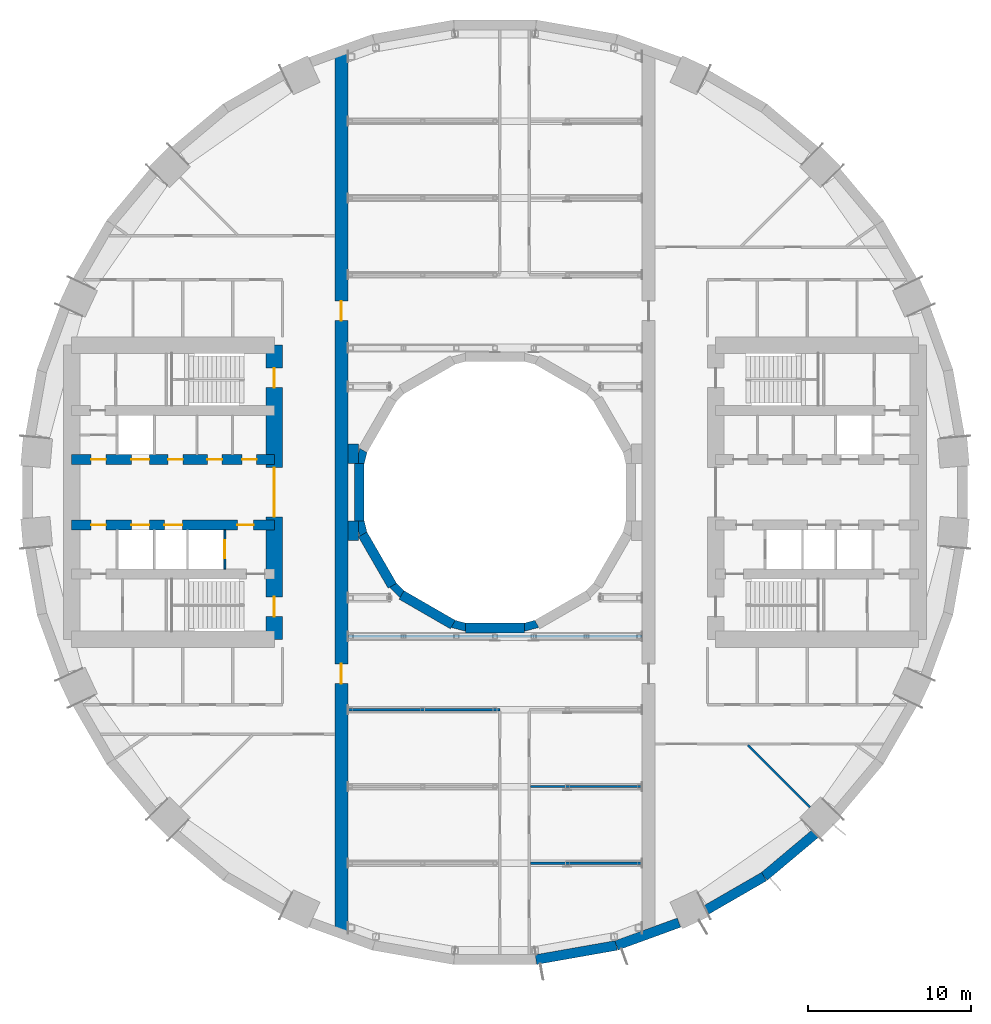
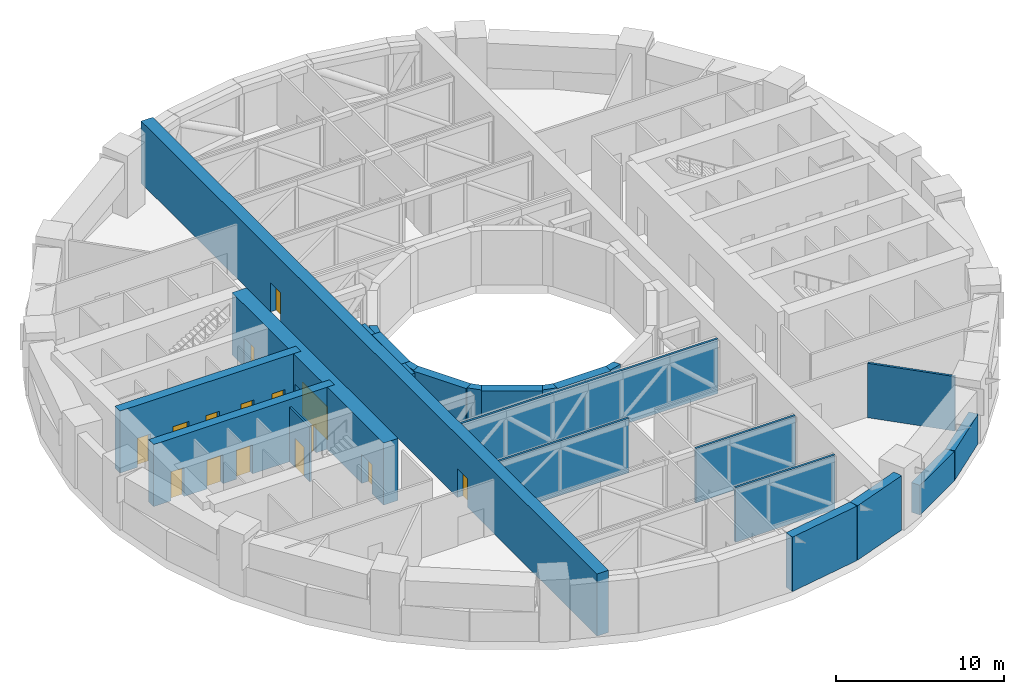
# One storey, part 14 of 21: 25 walls, 15 doors, 15 openings.
"""IFC4 building model written with IfcOpenShell, lengths in metres."""

from ifc_helpers import new_model, si_unit, direction, frame, frame_2d, origin, place, context, subcontext, project, spatial, polyline, rectangle, outline, extrude, material, layer, layer_set, type_object, element, fill, save


model = new_model("IFC4")

# Units and contexts
model_context = context("Model", 3, precision=1e-05, world=origin(), true_north=direction((0.0, 1.0)))
body_context = subcontext(model_context, "Body", "Model", "MODEL_VIEW")
ifc_project = project(units=[si_unit("LENGTHUNIT", "METRE"), si_unit("AREAUNIT", "SQUARE_METRE"), si_unit("VOLUMEUNIT", "CUBIC_METRE"), si_unit("PLANEANGLEUNIT", "RADIAN"), si_unit("MASSUNIT", "GRAM", prefix="KILO")], contexts=[model_context])

# Site, building, storey
site_placement = place(None, origin())
site = spatial("IfcSite", under=ifc_project, at=site_placement, CompositionType="ELEMENT")
building_placement = place(site_placement, origin())
building = spatial("IfcBuilding", under=site, at=building_placement, Name="Saqina Gate Tower", CompositionType="ELEMENT")
storey_placement = place(building_placement, frame((0.0, 0.0, 21.800048828125)))
storey = spatial("IfcBuildingStorey", under=building, at=storey_placement, Name="L05", CompositionType="ELEMENT", Elevation=21.800048828125)

# Walls
ifc_material_1 = material(Name="Brick masonry (red)", Category="masonry")
ifc_layer_1 = layer(ifc_material_1, 0.60009765625)
ifc_layer_set_1 = layer_set([ifc_layer_1], Name="FW-BRICK-RED")
wall_type_1 = type_object("IfcWallType", Name="FW-BRICK-RED", PredefinedType="SOLIDWALL", material=ifc_layer_set_1)
wall_1_placement = place(storey_placement, frame((2.5048828125, -28.589111328125, 0.0), z_axis=(0.0, 0.0, 1.0), x_axis=(0.984806184402, 0.173657073462, 0.0)))
element("IfcWall", 1, at=wall_1_placement, inside=storey, type_object=wall_type_1, Name="Facade wall L05 facet 28", PredefinedType="SOLIDWALL", context=body_context, shape_type="SweptSolid", body=[
    extrude(rectangle(XDim=4.9951171875, YDim=0.60009765625, at=frame_2d((2.49755859375, 0.0))), origin(), (0.0, 0.0, 1.0), 3.949951171875),
])
wall_2_placement = place(storey_placement, frame((7.431396484375, -27.7197265625, 0.0), z_axis=(0.0, 0.0, 1.0), x_axis=(0.939683013865, 0.342046536971, 0.0)))
element("IfcWall", 2, at=wall_2_placement, inside=storey, type_object=wall_type_1, Name="Facade wall L05 facet 29", PredefinedType="SOLIDWALL", context=body_context, shape_type="SweptSolid", body=[
    extrude(rectangle(XDim=4.069091796875, YDim=0.60009765625, at=frame_2d((2.03466796875, 0.0))), origin(), (0.0, 0.0, 1.0), 3.949951171875),
])
wall_3_placement = place(storey_placement, frame((12.933837890625, -25.545166015625, 0.0), z_axis=(0.0, 0.0, 1.0), x_axis=(0.866011732453, 0.500023678693, 0.0)))
element("IfcWall", 3, at=wall_3_placement, inside=storey, type_object=wall_type_1, Name="Facade wall L05 facet 30", PredefinedType="SOLIDWALL", context=body_context, shape_type="SweptSolid", body=[
    extrude(rectangle(XDim=4.069091796875, YDim=0.60009765625, at=frame_2d((2.03466796875, 0.0))), origin(), (0.0, 0.0, 1.0), 2.14990234375),
])
wall_4_placement = place(storey_placement, frame((16.4638671875, -23.50634765625, 0.0), z_axis=(0.0, 0.0, 1.0), x_axis=(0.766033337734, 0.642800844336, 0.0)))
element("IfcWall", 4, at=wall_4_placement, inside=storey, type_object=wall_type_1, Name="Facade wall L05 facet 31", PredefinedType="SOLIDWALL", context=body_context, shape_type="SweptSolid", body=[
    extrude(rectangle(XDim=4.0693359375, YDim=0.60009765625, at=frame_2d((2.03466796875, 0.0))), origin(), (0.0, 0.0, 1.0), 2.14990234375),
])
ifc_material_2 = material(Name="Glazed ceramic tile", Category="ceramic")
ifc_layer_2 = layer(ifc_material_2, 0.60009765625)
ifc_layer_set_2 = layer_set([ifc_layer_2], Name="IW-TILE")
wall_type_2 = type_object("IfcWallType", Name="IW-TILE", PredefinedType="SOLIDWALL", material=ifc_layer_set_2)
wall_5_placement = place(storey_placement, frame((-8.300048828125, 1.763671875, 0.0), z_axis=(0.0, 0.0, 1.0), x_axis=(0.0, -1.0, 0.0)))
element("IfcWall", 5, at=wall_5_placement, inside=storey, type_object=wall_type_2, Name="Well wall L05 facet 6", PredefinedType="SOLIDWALL", context=body_context, shape_type="SweptSolid", body=[
    extrude(rectangle(XDim=3.52734375, YDim=0.60009765625, at=frame_2d((1.763671875, 0.0))), origin(), (0.0, 0.0, 1.0), 3.949951171875),
])
for number, where, z_axis, x_axis, name in (
    (6, (-8.09423828125, -2.580322265625, 0.0), (0.0, 0.0, 1.0), (0.499992569217, -0.866029693906, 0.0), "Well wall L05 facet 7"),
    (7, (-5.7197265625, -6.28173828125, 0.0), (0.0, 0.0, 1.0), (0.866029693906, -0.499992569217, 0.0), "Well wall L05 facet 8"),
    (8, (-1.8125, -8.300048828125, 0.0), (0.0, 0.0, 1.0), (1.0, 0.0, 0.0), "Well wall L05 facet 9"),
):
    element("IfcWall", number, at=place(storey_placement, frame(where, z_axis=z_axis, x_axis=x_axis)), inside=storey, type_object=wall_type_2, Name=name, PredefinedType="SOLIDWALL", context=body_context, shape_type="SweptSolid", body=[
        extrude(rectangle(XDim=3.625, YDim=0.60009765625, at=frame_2d((1.8125, 0.0))), origin(), (0.0, 0.0, 1.0), 3.949951171875),
    ])

# Wall, opening, door
ifc_material_3 = material(Name="Autoclaved aerated concrete block", Category="concrete")
ifc_layer_3 = layer(ifc_material_3, 0.1201171875)
ifc_layer_set_3 = layer_set([ifc_layer_3], Name="SHAFT PARTITION")
wall_type_3 = type_object("IfcWallType", Name="SHAFT PARTITION", PredefinedType="PARTITIONING", material=ifc_layer_set_3)
wall_6_placement = place(storey_placement, frame((-16.530029296875, -4.699951171875, 0.0), z_axis=(0.0, 0.0, 1.0), x_axis=(0.0, 1.0, 0.0)))
wall_6 = element("IfcWall", 9, at=wall_6_placement, inside=storey, type_object=wall_type_3, Name="L05-CP-W05", PredefinedType="PARTITIONING", context=body_context, shape_type="SweptSolid", body=[
    extrude(rectangle(XDim=2.39990234375, YDim=0.1201171875, at=frame_2d((1.199951171875, 0.0))), origin(), (0.0, 0.0, 1.0), 3.949951171875),
])
opening_1_placement = place(wall_6_placement, frame((0.64990234375, 0.0, 0.0)))
opening_1 = element("IfcOpeningElement", 10, at=opening_1_placement, cuts=wall_6, Name="Opening L05-LD6", PredefinedType="OPENING", context=body_context, shape_type="SweptSolid", body=[
    extrude(rectangle(XDim=1.10009765625, YDim=2.10009765625, at=frame_2d((0.550048828125, 1.050048828125))), frame((0.0, 0.072021484375, 0.0), z_axis=(0.0, -1.0, 0.0), x_axis=(1.0, 0.0, 0.0)), (0.0, 0.0, 1.0), 0.14404296875),
])
ifc_material_4 = material(Name="Stainless steel", Category="steel")
door_type_1 = type_object("IfcDoorType", Name="LANDING DOOR", OperationType="DOUBLE_DOOR_SLIDING", PredefinedType="DOOR", material=ifc_material_4)
door_1_placement = place(opening_1_placement, origin())
door_1 = element("IfcDoor", 11, at=door_1_placement, inside=storey, type_object=door_type_1, Name="LANDING DOOR FF2", OperationType="DOUBLE_DOOR_SLIDING", OverallHeight=2.10009765625, OverallWidth=1.10009765625, PredefinedType="DOOR", context=body_context, shape_type="SweptSolid", body=[
    extrude(rectangle(XDim=1.10009765625, YDim=2.10009765625, at=frame_2d((0.550048828125, 1.050048828125))), frame((0.0, 0.02490234375, 0.0), z_axis=(0.0, -1.0, 0.0), x_axis=(1.0, 0.0, 0.0)), (0.0, 0.0, 1.0), 0.050048828125),
])
fill(opening_1, door_1)

# Walls
ifc_material_5 = material(Name="Gypsum board on steel studs, 150 mm, fire rated", Category="steel")
ifc_layer_4 = layer(ifc_material_5, 0.14990234375)
ifc_layer_set_4 = layer_set([ifc_layer_4], Name="SPECIAL PARTITION EI 30 150")
wall_type_4 = type_object("IfcWallType", Name="SPECIAL PARTITION EI 30 150", PredefinedType="PARTITIONING", material=ifc_layer_set_4)
wall_7_placement = place(storey_placement, frame((-9.0, -8.820068359375, 0.0), z_axis=(0.0, 0.0, 1.0), x_axis=(1.0, 0.0, 0.0)))
element("IfcWall", 12, at=wall_7_placement, inside=storey, type_object=wall_type_4, Name="PARTITION 015", PredefinedType="PARTITIONING", context=body_context, shape_type="SweptSolid", body=[
    extrude(rectangle(XDim=18.0, YDim=0.14990234375, at=frame_2d((9.0, 0.0))), origin(), (0.0, 0.0, 1.0), 3.949951171875),
])
ifc_material_6 = material(Name="Masonry block and plaster, 150 mm, fire rated", Category="masonry")
ifc_layer_5 = layer(ifc_material_6, 0.14990234375)
ifc_layer_set_5 = layer_set([ifc_layer_5], Name="SPECIAL PARTITION EI 60 150")
wall_type_5 = type_object("IfcWallType", Name="SPECIAL PARTITION EI 60 150", PredefinedType="PARTITIONING", material=ifc_layer_set_5)
wall_8_placement = place(storey_placement, frame((15.474365234375, -15.47412109375, 0.0), z_axis=(0.0, 0.0, 1.0), x_axis=(0.707197938435, -0.707015612185, 0.0)))
element("IfcWall", 13, at=wall_8_placement, inside=storey, type_object=wall_type_5, Name="PARTITION 002", PredefinedType="PARTITIONING", context=body_context, shape_type="SweptSolid", body=[
    extrude(rectangle(XDim=5.356201171875, YDim=0.14990234375, at=frame_2d((2.67822265625, 0.0))), origin(), (0.0, 0.0, 1.0), 3.949951171875),
])
for number, where, z_axis, x_axis, name in (
    (14, (2.175048828125, -22.699951171875, 0.0), (0.0, 0.0, 1.0), (1.0, 0.0, 0.0), "PARTITION 006"),
    (15, (2.175048828125, -18.0, 0.0), (0.0, 0.0, 1.0), (1.0, 0.0, 0.0), "PARTITION 008"),
):
    element("IfcWall", number, at=place(storey_placement, frame(where, z_axis=z_axis, x_axis=x_axis)), inside=storey, type_object=wall_type_5, Name=name, PredefinedType="PARTITIONING", context=body_context, shape_type="SweptSolid", body=[
        extrude(rectangle(XDim=6.824951171875, YDim=0.14990234375, at=frame_2d((3.41259765625, 0.0))), origin(), (0.0, 0.0, 1.0), 3.949951171875),
    ])
wall_9_placement = place(storey_placement, frame((-9.0, -13.300048828125, 0.0), z_axis=(0.0, 0.0, 1.0), x_axis=(1.0, 0.0, 0.0)))
element("IfcWall", 16, at=wall_9_placement, inside=storey, type_object=wall_type_5, Name="PARTITION 011", PredefinedType="PARTITIONING", context=body_context, shape_type="SweptSolid", body=[
    extrude(rectangle(XDim=9.300048828125, YDim=0.14990234375, at=frame_2d((4.64990234375, 0.0))), origin(), (0.0, 0.0, 1.0), 3.949951171875),
])

# Wall, openings, doors
ifc_material_7 = material(Name="Concrete C70/85", Category="concrete")
ifc_layer_6 = layer(ifc_material_7, 0.60009765625)
ifc_layer_set_6 = layer_set([ifc_layer_6], Name="Concrete C70/85")
wall_type_6 = type_object("IfcWallType", Name="STR-CORE WALL-P-I", PredefinedType="SHEAR", material=ifc_layer_set_6)
wall_10_placement = place(storey_placement, frame((-13.5, 2.0, 0.0), z_axis=(0.0, 0.0, 1.0), x_axis=(-1.0, 0.0, 0.0)))
wall_10 = element("IfcWall", 17, at=wall_10_placement, inside=storey, type_object=wall_type_6, Name="CORE WALL L05 W-L1", PredefinedType="SHEAR", context=body_context, shape_type="SweptSolid", body=[
    extrude(rectangle(XDim=12.39990234375, YDim=0.60009765625, at=frame_2d((6.199951171875, 0.0))), origin(), (0.0, 0.0, 1.0), 4.5),
])
opening_2_placement = place(wall_10_placement, frame((7.64990234375, 0.0, 0.0)))
opening_2 = element("IfcOpeningElement", 18, at=opening_2_placement, cuts=wall_10, Name="Opening L05-LD5", PredefinedType="OPENING", context=body_context, shape_type="SweptSolid", body=[
    extrude(rectangle(XDim=1.10009765625, YDim=2.10009765625, at=frame_2d((0.550048828125, 1.050048828125))), frame((0.0, 0.31201171875, 0.0), z_axis=(0.0, -1.0, 0.0), x_axis=(1.0, 0.0, 0.0)), (0.0, 0.0, 1.0), 0.6240234375),
])
opening_3_placement = place(wall_10_placement, frame((1.075927734375, 0.0, 0.0)))
opening_3 = element("IfcOpeningElement", 19, at=opening_3_placement, cuts=wall_10, Name="Opening L05-D105", PredefinedType="OPENING", context=body_context, shape_type="SweptSolid", body=[
    extrude(rectangle(XDim=0.89990234375, YDim=2.10009765625, at=frame_2d((0.449951171875, 1.050048828125))), frame((0.0, 0.31201171875, 0.0), z_axis=(0.0, -1.0, 0.0), x_axis=(1.0, 0.0, 0.0)), (0.0, 0.0, 1.0), 0.6240234375),
])
opening_4_placement = place(wall_10_placement, frame((3.1962890625, 0.0, 0.0)))
opening_4 = element("IfcOpeningElement", 20, at=opening_4_placement, cuts=wall_10, Name="Opening L05-D106", PredefinedType="OPENING", context=body_context, shape_type="SweptSolid", body=[
    extrude(rectangle(XDim=0.89990234375, YDim=2.10009765625, at=frame_2d((0.449951171875, 1.050048828125))), frame((0.0, 0.31201171875, 0.0), z_axis=(0.0, -1.0, 0.0), x_axis=(1.0, 0.0, 0.0)), (0.0, 0.0, 1.0), 0.6240234375),
])
opening_5_placement = place(wall_10_placement, frame((5.59033203125, 0.0, 0.0)))
opening_5 = element("IfcOpeningElement", 21, at=opening_5_placement, cuts=wall_10, Name="Opening L05-D107", PredefinedType="OPENING", context=body_context, shape_type="SweptSolid", body=[
    extrude(rectangle(XDim=0.89990234375, YDim=2.10009765625, at=frame_2d((0.449951171875, 1.050048828125))), frame((0.0, 0.31201171875, 0.0), z_axis=(0.0, -1.0, 0.0), x_axis=(1.0, 0.0, 0.0)), (0.0, 0.0, 1.0), 0.6240234375),
])
opening_6_placement = place(wall_10_placement, frame((10.31005859375, 0.0, 0.0)))
opening_6 = element("IfcOpeningElement", 22, at=opening_6_placement, cuts=wall_10, Name="Opening L05-D108", PredefinedType="OPENING", context=body_context, shape_type="SweptSolid", body=[
    extrude(rectangle(XDim=0.89990234375, YDim=2.10009765625, at=frame_2d((0.449951171875, 1.050048828125))), frame((0.0, 0.31201171875, 0.0), z_axis=(0.0, -1.0, 0.0), x_axis=(1.0, 0.0, 0.0)), (0.0, 0.0, 1.0), 0.6240234375),
])
door_2_placement = place(opening_2_placement, origin())
door_2 = element("IfcDoor", 23, at=door_2_placement, inside=storey, type_object=door_type_1, Name="LANDING DOOR LR4", OperationType="DOUBLE_DOOR_SLIDING", OverallHeight=2.10009765625, OverallWidth=1.10009765625, PredefinedType="DOOR", context=body_context, shape_type="SweptSolid", body=[
    extrude(rectangle(XDim=1.10009765625, YDim=2.10009765625, at=frame_2d((0.550048828125, 1.050048828125))), frame((0.0, 0.02490234375, 0.0), z_axis=(0.0, -1.0, 0.0), x_axis=(1.0, 0.0, 0.0)), (0.0, 0.0, 1.0), 0.050048828125),
])
fill(opening_2, door_2)
ifc_material_8 = material(Name="Steel-framed fire door leaf, EI 60", Category="steel")
door_type_2 = type_object("IfcDoorType", Name="SERVICE ROOM DOOR 900", OperationType="SINGLE_SWING_LEFT", PredefinedType="DOOR", material=ifc_material_8)
door_3_placement = place(opening_3_placement, frame((0.89990234375, 0.0, 0.0), z_axis=(0.0, 0.0, 1.0), x_axis=(-1.0, 0.0, 0.0)))
door_3 = element("IfcDoor", 24, at=door_3_placement, inside=storey, type_object=door_type_2, Name="L05-CD-W16", OperationType="SINGLE_SWING_LEFT", OverallHeight=2.10009765625, OverallWidth=0.89990234375, PredefinedType="DOOR", context=body_context, shape_type="SweptSolid", body=[
    extrude(rectangle(XDim=0.89990234375, YDim=2.10009765625, at=frame_2d((0.449951171875, 1.050048828125))), frame((0.0, 0.02490234375, 0.0), z_axis=(0.0, -1.0, 0.0), x_axis=(1.0, 0.0, 0.0)), (0.0, 0.0, 1.0), 0.050048828125),
])
fill(opening_3, door_3)
door_4_placement = place(opening_4_placement, frame((0.89990234375, 0.0, 0.0), z_axis=(0.0, 0.0, 1.0), x_axis=(-1.0, 0.0, 0.0)))
door_4 = element("IfcDoor", 25, at=door_4_placement, inside=storey, type_object=door_type_2, Name="L05-CD-W17", OperationType="SINGLE_SWING_RIGHT", OverallHeight=2.10009765625, OverallWidth=0.89990234375, PredefinedType="DOOR", context=body_context, shape_type="SweptSolid", body=[
    extrude(rectangle(XDim=0.89990234375, YDim=2.10009765625, at=frame_2d((0.449951171875, 1.050048828125))), frame((0.0, 0.02490234375, 0.0), z_axis=(0.0, -1.0, 0.0), x_axis=(1.0, 0.0, 0.0)), (0.0, 0.0, 1.0), 0.050048828125),
])
fill(opening_4, door_4)
door_5_placement = place(opening_5_placement, frame((0.89990234375, 0.0, 0.0), z_axis=(0.0, 0.0, 1.0), x_axis=(-1.0, 0.0, 0.0)))
door_5 = element("IfcDoor", 26, at=door_5_placement, inside=storey, type_object=door_type_2, Name="L05-CD-W18", OperationType="SINGLE_SWING_RIGHT", OverallHeight=2.10009765625, OverallWidth=0.89990234375, PredefinedType="DOOR", context=body_context, shape_type="SweptSolid", body=[
    extrude(rectangle(XDim=0.89990234375, YDim=2.10009765625, at=frame_2d((0.449951171875, 1.050048828125))), frame((0.0, 0.02490234375, 0.0), z_axis=(0.0, -1.0, 0.0), x_axis=(1.0, 0.0, 0.0)), (0.0, 0.0, 1.0), 0.050048828125),
])
fill(opening_5, door_5)
door_6_placement = place(opening_6_placement, frame((0.89990234375, 0.0, 0.0), z_axis=(0.0, 0.0, 1.0), x_axis=(-1.0, 0.0, 0.0)))
door_6 = element("IfcDoor", 27, at=door_6_placement, inside=storey, type_object=door_type_2, Name="L05-CD-W19", OperationType="SINGLE_SWING_LEFT", OverallHeight=2.10009765625, OverallWidth=0.89990234375, PredefinedType="DOOR", context=body_context, shape_type="SweptSolid", body=[
    extrude(rectangle(XDim=0.89990234375, YDim=2.10009765625, at=frame_2d((0.449951171875, 1.050048828125))), frame((0.0, 0.02490234375, 0.0), z_axis=(0.0, -1.0, 0.0), x_axis=(1.0, 0.0, 0.0)), (0.0, 0.0, 1.0), 0.050048828125),
])
fill(opening_6, door_6)

wall_11_placement = place(storey_placement, frame((-13.5, -2.0, 0.0), z_axis=(0.0, 0.0, 1.0), x_axis=(-1.0, 0.0, 0.0)))
wall_11 = element("IfcWall", 28, at=wall_11_placement, inside=storey, type_object=wall_type_6, Name="CORE WALL L05 W-L2", PredefinedType="SHEAR", context=body_context, shape_type="SweptSolid", body=[
    extrude(rectangle(XDim=12.39990234375, YDim=0.60009765625, at=frame_2d((6.199951171875, 0.0))), origin(), (0.0, 0.0, 1.0), 4.5),
])
opening_7_placement = place(wall_11_placement, frame((5.6201171875, 0.0, 0.0)))
opening_7 = element("IfcOpeningElement", 29, at=opening_7_placement, cuts=wall_11, Name="Opening L05-LD7", PredefinedType="OPENING", context=body_context, shape_type="SweptSolid", body=[
    extrude(rectangle(XDim=1.10009765625, YDim=2.10009765625, at=frame_2d((0.550048828125, 1.050048828125))), frame((0.0, 0.31201171875, 0.0), z_axis=(0.0, -1.0, 0.0), x_axis=(1.0, 0.0, 0.0)), (0.0, 0.0, 1.0), 0.6240234375),
])
opening_8_placement = place(wall_11_placement, frame((7.64990234375, 0.0, 0.0)))
opening_8 = element("IfcOpeningElement", 30, at=opening_8_placement, cuts=wall_11, Name="Opening L05-LD8", PredefinedType="OPENING", context=body_context, shape_type="SweptSolid", body=[
    extrude(rectangle(XDim=1.10009765625, YDim=2.10009765625, at=frame_2d((0.550048828125, 1.050048828125))), frame((0.0, 0.31201171875, 0.0), z_axis=(0.0, -1.0, 0.0), x_axis=(1.0, 0.0, 0.0)), (0.0, 0.0, 1.0), 0.6240234375),
])
opening_9_placement = place(wall_11_placement, frame((1.264892578125, 0.0, 0.0)))
opening_9 = element("IfcOpeningElement", 31, at=opening_9_placement, cuts=wall_11, Name="Opening L05-D109", PredefinedType="OPENING", context=body_context, shape_type="SweptSolid", body=[
    extrude(rectangle(XDim=1.0, YDim=2.10009765625, at=frame_2d((0.5, 1.050048828125))), frame((0.0, 0.31201171875, 0.0), z_axis=(0.0, -1.0, 0.0), x_axis=(1.0, 0.0, 0.0)), (0.0, 0.0, 1.0), 0.6240234375),
])
opening_10_placement = place(wall_11_placement, frame((10.31005859375, 0.0, 0.0)))
opening_10 = element("IfcOpeningElement", 32, at=opening_10_placement, cuts=wall_11, Name="Opening L05-D110", PredefinedType="OPENING", context=body_context, shape_type="SweptSolid", body=[
    extrude(rectangle(XDim=0.89990234375, YDim=2.10009765625, at=frame_2d((0.449951171875, 1.050048828125))), frame((0.0, 0.31201171875, 0.0), z_axis=(0.0, -1.0, 0.0), x_axis=(1.0, 0.0, 0.0)), (0.0, 0.0, 1.0), 0.6240234375),
])
ifc_material_9 = material(Name="Steel", Category="steel")
door_type_3 = type_object("IfcDoorType", Name="FIRE LOBBY DOOR EI 60", OperationType="SINGLE_SWING_LEFT", PredefinedType="DOOR", material=ifc_material_9)
door_7_placement = place(opening_9_placement, frame((1.0, 0.0, 0.0), z_axis=(0.0, 0.0, 1.0), x_axis=(-1.0, 0.0, 0.0)))
door_7 = element("IfcDoor", 33, at=door_7_placement, inside=storey, type_object=door_type_3, Name="L05-CD-W20", OperationType="SINGLE_SWING_RIGHT", OverallHeight=2.10009765625, OverallWidth=1.0, PredefinedType="DOOR", context=body_context, shape_type="SweptSolid", body=[
    extrude(rectangle(XDim=1.0, YDim=2.10009765625, at=frame_2d((0.5, 1.050048828125))), frame((0.0, 0.02490234375, 0.0), z_axis=(0.0, -1.0, 0.0), x_axis=(1.0, 0.0, 0.0)), (0.0, 0.0, 1.0), 0.050048828125),
])
fill(opening_9, door_7)
door_8_placement = place(opening_7_placement, origin())
door_8 = element("IfcDoor", 34, at=door_8_placement, inside=storey, type_object=door_type_1, Name="LANDING DOOR LR6", OperationType="DOUBLE_DOOR_SLIDING", OverallHeight=2.10009765625, OverallWidth=1.10009765625, PredefinedType="DOOR", context=body_context, shape_type="SweptSolid", body=[
    extrude(rectangle(XDim=1.10009765625, YDim=2.10009765625, at=frame_2d((0.550048828125, 1.050048828125))), frame((0.0, 0.02490234375, 0.0), z_axis=(0.0, -1.0, 0.0), x_axis=(1.0, 0.0, 0.0)), (0.0, 0.0, 1.0), 0.050048828125),
])
fill(opening_7, door_8)
door_9_placement = place(opening_8_placement, origin())
door_9 = element("IfcDoor", 35, at=door_9_placement, inside=storey, type_object=door_type_1, Name="LANDING DOOR LR5", OperationType="DOUBLE_DOOR_SLIDING", OverallHeight=2.10009765625, OverallWidth=1.10009765625, PredefinedType="DOOR", context=body_context, shape_type="SweptSolid", body=[
    extrude(rectangle(XDim=1.10009765625, YDim=2.10009765625, at=frame_2d((0.550048828125, 1.050048828125))), frame((0.0, 0.02490234375, 0.0), z_axis=(0.0, -1.0, 0.0), x_axis=(1.0, 0.0, 0.0)), (0.0, 0.0, 1.0), 0.050048828125),
])
fill(opening_8, door_9)
door_10_placement = place(opening_10_placement, origin())
door_10 = element("IfcDoor", 36, at=door_10_placement, inside=storey, type_object=door_type_2, Name="L05-CD-W21", OperationType="SINGLE_SWING_RIGHT", OverallHeight=2.10009765625, OverallWidth=0.89990234375, PredefinedType="DOOR", context=body_context, shape_type="SweptSolid", body=[
    extrude(rectangle(XDim=0.89990234375, YDim=2.10009765625, at=frame_2d((0.449951171875, 1.050048828125))), frame((0.0, 0.02490234375, 0.0), z_axis=(0.0, -1.0, 0.0), x_axis=(1.0, 0.0, 0.0)), (0.0, 0.0, 1.0), 0.050048828125),
])
fill(opening_10, door_10)

ifc_material_10 = material(Name="Concrete C70/85", Category="concrete")
ifc_layer_7 = layer(ifc_material_10, 1.0)
ifc_layer_set_7 = layer_set([ifc_layer_7], Name="Concrete C70/85")
wall_type_7 = type_object("IfcWallType", Name="STR-CORE WALL-P-O", PredefinedType="SHEAR", material=ifc_layer_set_7)
wall_12_placement = place(storey_placement, frame((-13.5, -9.0, 0.0), z_axis=(0.0, 0.0, 1.0), x_axis=(0.0, 1.0, 0.0)))
wall_12 = element("IfcWall", 37, at=wall_12_placement, inside=storey, type_object=wall_type_7, Name="CORE WALL L05 W-W1", PredefinedType="SHEAR", context=body_context, shape_type="SweptSolid", body=[
    extrude(rectangle(XDim=18.0, YDim=1.0, at=frame_2d((9.0, 0.0))), origin(), (0.0, 0.0, 1.0), 4.5),
])
opening_11_placement = place(wall_12_placement, frame((15.39990234375, 0.0, 0.0)))
opening_11 = element("IfcOpeningElement", 38, at=opening_11_placement, cuts=wall_12, Name="Opening L05-D117", PredefinedType="OPENING", context=body_context, shape_type="SweptSolid", body=[
    extrude(rectangle(XDim=1.199951171875, YDim=2.10009765625, at=frame_2d((0.60009765625, 1.050048828125))), frame((0.0, 0.511962890625, 0.0), z_axis=(0.0, -1.0, 0.0), x_axis=(1.0, 0.0, 0.0)), (0.0, 0.0, 1.0), 1.02392578125),
])
opening_12_placement = place(wall_12_placement, frame((1.39990234375, 0.0, 0.0)))
opening_12 = element("IfcOpeningElement", 39, at=opening_12_placement, cuts=wall_12, Name="Opening L05-D118", PredefinedType="OPENING", context=body_context, shape_type="SweptSolid", body=[
    extrude(rectangle(XDim=1.199951171875, YDim=2.10009765625, at=frame_2d((0.60009765625, 1.050048828125))), frame((0.0, 0.511962890625, 0.0), z_axis=(0.0, -1.0, 0.0), x_axis=(1.0, 0.0, 0.0)), (0.0, 0.0, 1.0), 1.02392578125),
])
opening_13_placement = place(wall_12_placement, frame((7.5, 0.0, 0.0)))
opening_13 = element("IfcOpeningElement", 40, at=opening_13_placement, cuts=wall_12, Name="Opening L05-D119", PredefinedType="OPENING", context=body_context, shape_type="SweptSolid", body=[
    extrude(rectangle(XDim=3.0, YDim=2.39990234375, at=frame_2d((1.5, 1.199951171875))), frame((0.0, 0.511962890625, 0.0), z_axis=(0.0, -1.0, 0.0), x_axis=(1.0, 0.0, 0.0)), (0.0, 0.0, 1.0), 1.02392578125),
])
ifc_material_11 = material(Name="Steel", Category="steel")
door_type_4 = type_object("IfcDoorType", Name="FIRE DOOR EI 60", OperationType="SINGLE_SWING_LEFT", PredefinedType="DOOR", material=ifc_material_11)
door_11_placement = place(opening_11_placement, origin())
door_11 = element("IfcDoor", 41, at=door_11_placement, inside=storey, type_object=door_type_4, Name="L05-CD-W28", OperationType="SINGLE_SWING_RIGHT", OverallHeight=2.10009765625, OverallWidth=1.199951171875, PredefinedType="DOOR", context=body_context, shape_type="SweptSolid", body=[
    extrude(rectangle(XDim=1.199951171875, YDim=2.10009765625, at=frame_2d((0.60009765625, 1.050048828125))), frame((0.0, 0.02490234375, 0.0), z_axis=(0.0, -1.0, 0.0), x_axis=(1.0, 0.0, 0.0)), (0.0, 0.0, 1.0), 0.050048828125),
])
fill(opening_11, door_11)
door_12_placement = place(opening_12_placement, origin())
door_12 = element("IfcDoor", 42, at=door_12_placement, inside=storey, type_object=door_type_4, Name="L05-CD-W29", OperationType="SINGLE_SWING_LEFT", OverallHeight=2.10009765625, OverallWidth=1.199951171875, PredefinedType="DOOR", context=body_context, shape_type="SweptSolid", body=[
    extrude(rectangle(XDim=1.199951171875, YDim=2.10009765625, at=frame_2d((0.60009765625, 1.050048828125))), frame((0.0, 0.02490234375, 0.0), z_axis=(0.0, -1.0, 0.0), x_axis=(1.0, 0.0, 0.0)), (0.0, 0.0, 1.0), 0.050048828125),
])
fill(opening_12, door_12)
ifc_material_12 = material(Name="Steel and fire-resisting glass", Category="steel")
door_type_5 = type_object("IfcDoorType", Name="LOBBY SCREEN DOOR", OperationType="DOUBLE_DOOR_SLIDING", PredefinedType="DOOR", material=ifc_material_12)
door_13_placement = place(opening_13_placement, origin())
door_13 = element("IfcDoor", 43, at=door_13_placement, inside=storey, type_object=door_type_5, Name="L05-CD-W30", OperationType="DOUBLE_DOOR_SLIDING", OverallHeight=2.39990234375, OverallWidth=3.0, PredefinedType="DOOR", context=body_context, shape_type="SweptSolid", body=[
    extrude(rectangle(XDim=3.0, YDim=2.39990234375, at=frame_2d((1.5, 1.199951171875))), frame((0.0, 0.02490234375, 0.0), z_axis=(0.0, -1.0, 0.0), x_axis=(1.0, 0.0, 0.0)), (0.0, 0.0, 1.0), 0.050048828125),
])
fill(opening_13, door_13)

# Walls
ifc_material_13 = material(Name="Concrete C70/85", Category="concrete")
ifc_layer_8 = layer(ifc_material_13, 0.639892578125)
ifc_layer_set_8 = layer_set([ifc_layer_8], Name="Concrete C70/85")
wall_type_8 = type_object("IfcWallType", Name="STR-PIER-HEAD", PredefinedType="SHEAR", material=ifc_layer_set_8)
for number, where, z_axis, x_axis, name in (
    (44, (-8.679931640625, 1.763671875, 0.0), (0.0, 0.0, 1.0), (0.0, 1.0, 0.0), "CORE PIER HEAD 06"),
    (45, (-8.679931640625, -2.963623046875, 0.0), (0.0, 0.0, 1.0), (0.0, 1.0, 0.0), "CORE PIER HEAD 07"),
):
    element("IfcWall", number, at=place(storey_placement, frame(where, z_axis=z_axis, x_axis=x_axis)), inside=storey, type_object=wall_type_8, Name=name, PredefinedType="SHEAR", context=body_context, shape_type="SweptSolid", body=[
        extrude(rectangle(XDim=1.199951171875, YDim=0.639892578125, at=frame_2d((0.60009765625, 0.0))), origin(), (0.0, 0.0, 1.0), 3.949951171875),
    ])

# Wall, openings, doors
ifc_material_14 = material(Name="Concrete C70/85", Category="concrete")
ifc_layer_9 = layer(ifc_material_14, 0.800048828125)
ifc_layer_set_9 = layer_set([ifc_layer_9], Name="Concrete C70/85")
wall_type_9 = type_object("IfcWallType", Name="STR-PIER-PASSAGE", PredefinedType="SHEAR", material=ifc_layer_set_9)
wall_13_placement = place(storey_placement, frame((-9.39990234375, -27.076904296875, 0.0), z_axis=(0.0, 0.0, 1.0), x_axis=(0.0, 1.0, 0.0)))
wall_13 = element("IfcWall", 46, at=wall_13_placement, inside=storey, type_object=wall_type_9, Name="L05-FLKW", PredefinedType="SHEAR", context=body_context, shape_type="SweptSolid", body=[
    extrude(rectangle(XDim=54.15380859375, YDim=0.800048828125, at=frame_2d((27.076904296875, 0.0))), origin(), (0.0, 0.0, 1.0), 4.5),
])
opening_14_placement = place(wall_13_placement, frame((15.376708984375, 0.0, 0.0)))
opening_14 = element("IfcOpeningElement", 47, at=opening_14_placement, cuts=wall_13, Name="Opening L05-D39", PredefinedType="OPENING", context=body_context, shape_type="SweptSolid", body=[
    extrude(rectangle(XDim=1.199951171875, YDim=2.10009765625, at=frame_2d((0.60009765625, 1.050048828125))), frame((0.0, 0.412109375, 0.0), z_axis=(0.0, -1.0, 0.0), x_axis=(1.0, 0.0, 0.0)), (0.0, 0.0, 1.0), 0.823974609375),
])
opening_15_placement = place(wall_13_placement, frame((37.576904296875, 0.0, 0.0)))
opening_15 = element("IfcOpeningElement", 48, at=opening_15_placement, cuts=wall_13, Name="Opening L05-D40", PredefinedType="OPENING", context=body_context, shape_type="SweptSolid", body=[
    extrude(rectangle(XDim=1.199951171875, YDim=2.10009765625, at=frame_2d((0.60009765625, 1.050048828125))), frame((0.0, 0.412109375, 0.0), z_axis=(0.0, -1.0, 0.0), x_axis=(1.0, 0.0, 0.0)), (0.0, 0.0, 1.0), 0.823974609375),
])
ifc_material_15 = material(Name="Steel-framed fire door leaf, EI 60", Category="steel")
door_type_6 = type_object("IfcDoorType", Name="SPECIAL DOOR 1200 FIRE EI 60", OperationType="SINGLE_SWING_LEFT", PredefinedType="DOOR", material=ifc_material_15)
door_14_placement = place(opening_14_placement, frame((1.199951171875, 0.0, 0.0), z_axis=(0.0, 0.0, 1.0), x_axis=(-1.0, 0.0, 0.0)))
door_14 = element("IfcDoor", 49, at=door_14_placement, inside=storey, type_object=door_type_6, Name="DOOR L05-D39", OperationType="SINGLE_SWING_RIGHT", OverallHeight=2.10009765625, OverallWidth=1.199951171875, PredefinedType="DOOR", context=body_context, shape_type="SweptSolid", body=[
    extrude(rectangle(XDim=1.199951171875, YDim=2.10009765625, at=frame_2d((0.60009765625, 1.050048828125))), frame((0.0, 0.02490234375, 0.0), z_axis=(0.0, -1.0, 0.0), x_axis=(1.0, 0.0, 0.0)), (0.0, 0.0, 1.0), 0.050048828125),
])
fill(opening_14, door_14)
door_15_placement = place(opening_15_placement, frame((1.199951171875, 0.0, 0.0), z_axis=(0.0, 0.0, 1.0), x_axis=(-1.0, 0.0, 0.0)))
door_15 = element("IfcDoor", 50, at=door_15_placement, inside=storey, type_object=door_type_6, Name="DOOR L05-D40", OperationType="SINGLE_SWING_LEFT", OverallHeight=2.10009765625, OverallWidth=1.199951171875, PredefinedType="DOOR", context=body_context, shape_type="SweptSolid", body=[
    extrude(rectangle(XDim=1.199951171875, YDim=2.10009765625, at=frame_2d((0.60009765625, 1.050048828125))), frame((0.0, 0.02490234375, 0.0), z_axis=(0.0, -1.0, 0.0), x_axis=(1.0, 0.0, 0.0)), (0.0, 0.0, 1.0), 0.050048828125),
])
fill(opening_15, door_15)

# Walls
ifc_material_16 = material(Name="Glazed ceramic tile", Category="ceramic")
wall_type_10 = type_object("IfcWallType", Name="TILE PIER COPING", PredefinedType="SOLIDWALL", material=ifc_material_16)
wall_14_placement = place(storey_placement, origin())
element("IfcWall", 51, at=wall_14_placement, inside=storey, type_object=wall_type_10, Name="Well pier cap L05 column 6", PredefinedType="SOLIDWALL", context=body_context, shape_type="SweptSolid", body=[
    extrude(outline(polyline([(-8.360107421875, 1.763671875), (-8.0, 1.763671875), (-7.83447265625, 2.430419921875), (-8.27001953125, 2.681884765625), (-8.360107421875, 2.345458984375), (-8.360107421875, 1.763671875)])), origin(), (0.0, 0.0, 1.0), 3.949951171875),
])
wall_15_placement = place(storey_placement, origin())
element("IfcWall", 52, at=wall_15_placement, inside=storey, type_object=wall_type_10, Name="Well pier cap L05 column 7", PredefinedType="SOLIDWALL", context=body_context, shape_type="SweptSolid", body=[
    extrude(outline(polyline([(-8.360107421875, -2.345458984375), (-8.27001953125, -2.681884765625), (-7.83447265625, -2.430419921875), (-8.0, -1.763671875), (-8.360107421875, -1.763671875), (-8.360107421875, -2.345458984375)])), origin(), (0.0, 0.0, 1.0), 3.949951171875),
])
wall_16_placement = place(storey_placement, origin())
element("IfcWall", 53, at=wall_16_placement, inside=storey, type_object=wall_type_10, Name="Well pier cap L05 column 8", PredefinedType="SOLIDWALL", context=body_context, shape_type="SweptSolid", body=[
    extrude(outline(polyline([(-6.45751953125, -5.821044921875), (-5.821044921875, -6.45751953125), (-5.569580078125, -6.02197265625), (-6.02197265625, -5.569580078125), (-6.45751953125, -5.821044921875)])), origin(), (0.0, 0.0, 1.0), 3.949951171875),
])
wall_17_placement = place(storey_placement, origin())
element("IfcWall", 54, at=wall_17_placement, inside=storey, type_object=wall_type_10, Name="Well pier cap L05 column 9", PredefinedType="SOLIDWALL", context=body_context, shape_type="SweptSolid", body=[
    extrude(outline(polyline([(-1.8125, -8.502685546875), (-1.8125, -8.0), (-2.430419921875, -7.83447265625), (-2.681884765625, -8.27001953125), (-1.8125, -8.502685546875)])), origin(), (0.0, 0.0, 1.0), 3.949951171875),
])
wall_18_placement = place(storey_placement, origin())
element("IfcWall", 55, at=wall_18_placement, inside=storey, type_object=wall_type_10, Name="Well pier cap L05 column 10", PredefinedType="SOLIDWALL", context=body_context, shape_type="SweptSolid", body=[
    extrude(outline(polyline([(2.681884765625, -8.27001953125), (2.430419921875, -7.83447265625), (1.8125, -8.0), (1.8125, -8.502685546875), (2.681884765625, -8.27001953125)])), origin(), (0.0, 0.0, 1.0), 3.949951171875),
])

save(model, "model.ifc")
